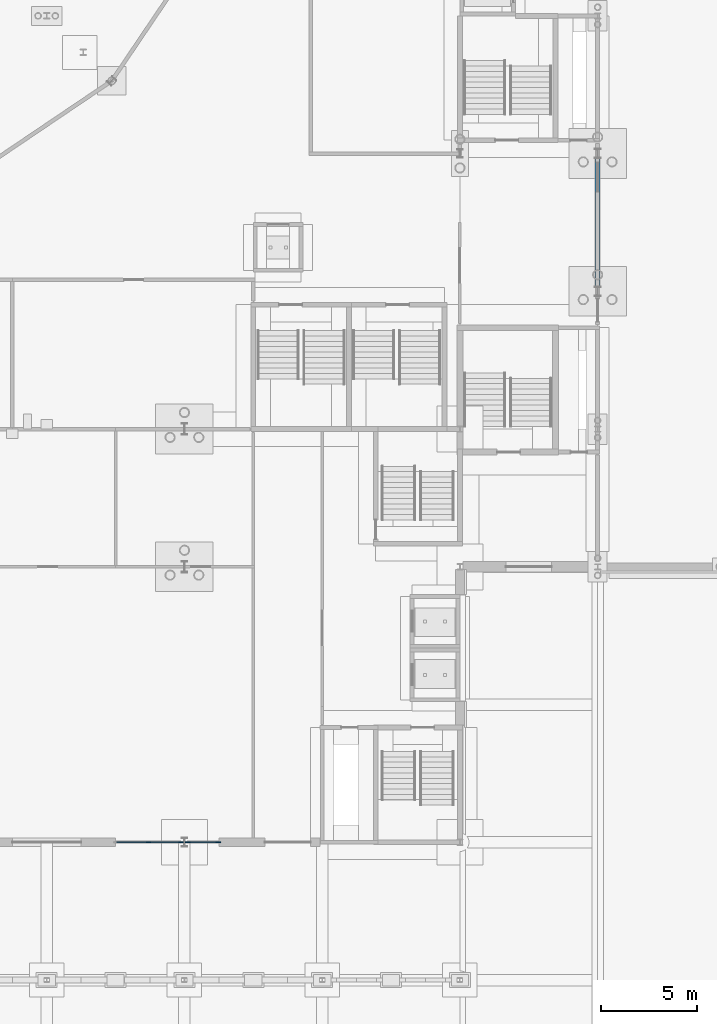
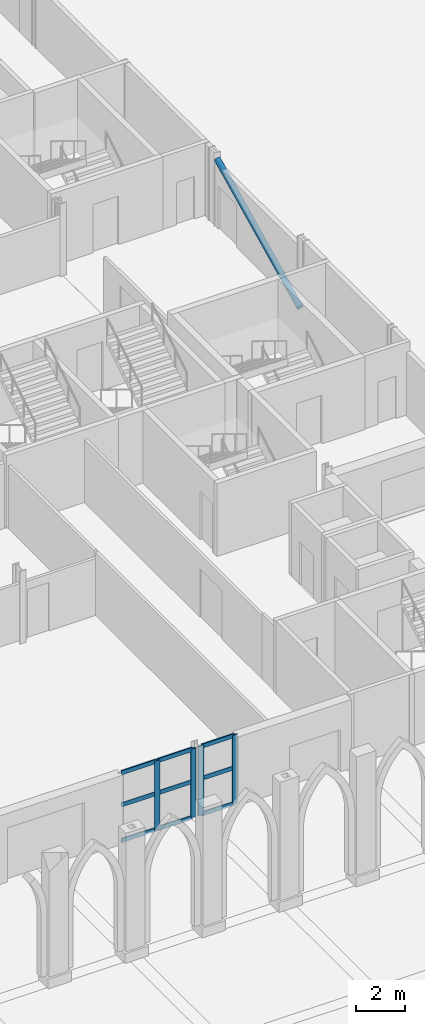
# One storey, part 71 of 148: 14 members, 2 elements without a shape of their own.
"""IFC4 building model written with IfcOpenShell, lengths in metres."""

from ifc_helpers import new_model, si_unit, direction, frame, origin, origin_2d, place, context, subcontext, project, spatial, rectangle, hollow_circle, extrude, material, material_profile, profile_set, type_object, element, aggregate, save


model = new_model("IFC4")

# Units and contexts
model_context = context("Model", 3, precision=1e-05, world=origin(), true_north=direction((0.0, 1.0)))
body_context = subcontext(model_context, "Body", "Model", "MODEL_VIEW")
ifc_project = project(units=[si_unit("LENGTHUNIT", "METRE"), si_unit("AREAUNIT", "SQUARE_METRE"), si_unit("VOLUMEUNIT", "CUBIC_METRE"), si_unit("PLANEANGLEUNIT", "RADIAN"), si_unit("MASSUNIT", "GRAM", prefix="KILO")], contexts=[model_context])

# Site, building, storey
site_placement = place(None, origin())
site = spatial("IfcSite", under=ifc_project, at=site_placement, CompositionType="ELEMENT")
building_placement = place(site_placement, origin())
building = spatial("IfcBuilding", under=site, at=building_placement, Name="Kupolbacken Congress Centre", CompositionType="ELEMENT")
storey_placement = place(building_placement, origin())
storey = spatial("IfcBuildingStorey", under=building, at=storey_placement, Name="L00", CompositionType="ELEMENT", Elevation=0.0)

# Member
ifc_material_1 = material(Name="Steel S355", Category="steel")
ifc_material_profile_1 = material_profile(ifc_material_1, hollow_circle(Radius=0.136474609375, WallThickness=0.012451171875, at=origin_2d()), Name="CHS 273 x 12.5")
ifc_profile_set_1 = profile_set([ifc_material_profile_1], Name="Steel S355")
member_type_1 = type_object("IfcMemberType", Name="M08 brace CHS 273 x 12.5", PredefinedType="BRACE", material=ifc_profile_set_1)
member_1_placement = place(storey_placement, frame((86.39990234375, 57.844970703125, 0.0), z_axis=(0.0, 0.898933726852, 0.438084643337), x_axis=(-1.0, 0.0, 0.0)))
element("IfcMember", 1, at=member_1_placement, inside=storey, type_object=member_type_1, Name="S/brace/W/03/01", PredefinedType="BRACE", context=body_context, shape_type="SweptSolid", body=[
    extrude(hollow_circle(Radius=0.136474609375, WallThickness=0.012451171875, at=origin_2d()), origin(), (0.0, 0.0, 1.0), 7.46435546875),
])

# Curtain wall, members
ifc_material_2 = material(Name="Aluminium mullion-transom frame with glass", Category="aluminium")
curtain_wall_type = type_object("IfcCurtainWallType", Name="CW2 curtain wall 3600x3600", PredefinedType="NOTDEFINED", material=ifc_material_2)
curtain_wall_1_placement = place(storey_placement, origin())
curtain_wall_1 = element("IfcCurtainWall", 2, at=curtain_wall_1_placement, inside=storey, type_object=curtain_wall_type, Name="E/F/S/L00/039", PredefinedType="NOTDEFINED")
ifc_material_3 = material(Name="Aluminium alloy", Category="aluminium")
ifc_material_profile_2 = material_profile(ifc_material_3, rectangle(XDim=0.06005859375, YDim=0.25, at=origin_2d()), Name="60 x 250")
ifc_profile_set_2 = profile_set([ifc_material_profile_2], Name="Aluminium alloy")
member_type_2 = type_object("IfcMemberType", Name="MU3 mullion 60x250", PredefinedType="MULLION", material=ifc_profile_set_2)
member_2_placement = place(storey_placement, frame((62.925048828125, 28.800048828125, 0.0), z_axis=(0.0, 0.0, 1.0), x_axis=(0.0, 1.0, 0.0)))
member_2 = element("IfcMember", 3, at=member_2_placement, type_object=member_type_2, Name="CW2 mullion 2", PredefinedType="MULLION", context=body_context, shape_type="SweptSolid", body=[
    extrude(rectangle(XDim=0.06005859375, YDim=0.25, at=origin_2d()), origin(), (0.0, 0.0, 1.0), 3.419921875),
])
member_3_placement = place(storey_placement, frame((64.6201171875, 28.800048828125, 0.0), z_axis=(0.0, 0.0, 1.0), x_axis=(0.0, 1.0, 0.0)))
member_3 = element("IfcMember", 4, at=member_3_placement, type_object=member_type_2, Name="CW2 mullion 3", PredefinedType="MULLION", context=body_context, shape_type="SweptSolid", body=[
    extrude(rectangle(XDim=0.06005859375, YDim=0.25, at=origin_2d()), origin(), (0.0, 0.0, 1.0), 3.419921875),
])

curtain_wall_2_placement = place(storey_placement, origin())
curtain_wall_2 = element("IfcCurtainWall", 5, at=curtain_wall_2_placement, inside=storey, type_object=curtain_wall_type, Name="E/F/S/L00/040", PredefinedType="NOTDEFINED")
member_4_placement = place(storey_placement, frame((64.97998046875, 28.800048828125, 0.0), z_axis=(0.0, 0.0, 1.0), x_axis=(0.0, 1.0, 0.0)))
member_4 = element("IfcMember", 6, at=member_4_placement, type_object=member_type_2, Name="CW2 mullion 1", PredefinedType="MULLION", context=body_context, shape_type="SweptSolid", body=[
    extrude(rectangle(XDim=0.06005859375, YDim=0.25, at=origin_2d()), origin(), (0.0, 0.0, 1.0), 3.419921875),
])
member_5_placement = place(storey_placement, frame((66.570068359375, 28.800048828125, 0.0), z_axis=(0.0, 0.0, 1.0), x_axis=(0.0, 1.0, 0.0)))
member_5 = element("IfcMember", 7, at=member_5_placement, type_object=member_type_2, Name="CW2 mullion 2", PredefinedType="MULLION", context=body_context, shape_type="SweptSolid", body=[
    extrude(rectangle(XDim=0.06005859375, YDim=0.25, at=origin_2d()), origin(), (0.0, 0.0, 1.0), 3.419921875),
])

# Member
ifc_material_4 = material(Name="Aluminium alloy", Category="aluminium")
ifc_material_profile_3 = material_profile(ifc_material_4, rectangle(XDim=0.06005859375, YDim=0.199951171875, at=origin_2d()), Name="60 x 200")
ifc_profile_set_3 = profile_set([ifc_material_profile_3], Name="Aluminium alloy")
member_type_3 = type_object("IfcMemberType", Name="TR3 transom 60x200", PredefinedType="MULLION", material=ifc_profile_set_3)
member_6_placement = place(storey_placement, frame((61.260009765625, 28.800048828125, 0.030029296875), z_axis=(1.0, 0.0, 0.0), x_axis=(0.0, 1.0, 0.0)))
member_6 = element("IfcMember", 8, at=member_6_placement, type_object=member_type_3, Name="CW2 transom 1.1", PredefinedType="MULLION", context=body_context, shape_type="SweptSolid", body=[
    extrude(rectangle(XDim=0.06005859375, YDim=0.199951171875, at=origin_2d()), origin(), (0.0, 0.0, 1.0), 1.635009765625),
])

member_7_placement = place(storey_placement, frame((61.260009765625, 28.800048828125, 1.800048828125), z_axis=(1.0, 0.0, 0.0), x_axis=(0.0, 1.0, 0.0)))
member_7 = element("IfcMember", 9, at=member_7_placement, type_object=member_type_3, Name="CW2 transom 1.2", PredefinedType="MULLION", context=body_context, shape_type="SweptSolid", body=[
    extrude(rectangle(XDim=0.06005859375, YDim=0.199951171875, at=origin_2d()), origin(), (0.0, 0.0, 1.0), 1.635009765625),
])

member_8_placement = place(storey_placement, frame((61.260009765625, 28.800048828125, 3.389892578125), z_axis=(1.0, 0.0, 0.0), x_axis=(0.0, 1.0, 0.0)))
member_8 = element("IfcMember", 10, at=member_8_placement, type_object=member_type_3, Name="CW2 transom 1.3", PredefinedType="MULLION", context=body_context, shape_type="SweptSolid", body=[
    extrude(rectangle(XDim=0.06005859375, YDim=0.199951171875, at=origin_2d()), origin(), (0.0, 0.0, 1.0), 1.635009765625),
])

member_9_placement = place(storey_placement, frame((62.955078125, 28.800048828125, 0.030029296875), z_axis=(1.0, 0.0, 0.0), x_axis=(0.0, 1.0, 0.0)))
member_9 = element("IfcMember", 11, at=member_9_placement, type_object=member_type_3, Name="CW2 transom 2.1", PredefinedType="MULLION", context=body_context, shape_type="SweptSolid", body=[
    extrude(rectangle(XDim=0.06005859375, YDim=0.199951171875, at=origin_2d()), origin(), (0.0, 0.0, 1.0), 1.635009765625),
])

member_10_placement = place(storey_placement, frame((62.955078125, 28.800048828125, 1.800048828125), z_axis=(1.0, 0.0, 0.0), x_axis=(0.0, 1.0, 0.0)))
member_10 = element("IfcMember", 12, at=member_10_placement, type_object=member_type_3, Name="CW2 transom 2.2", PredefinedType="MULLION", context=body_context, shape_type="SweptSolid", body=[
    extrude(rectangle(XDim=0.06005859375, YDim=0.199951171875, at=origin_2d()), origin(), (0.0, 0.0, 1.0), 1.635009765625),
])

member_11_placement = place(storey_placement, frame((62.955078125, 28.800048828125, 3.389892578125), z_axis=(1.0, 0.0, 0.0), x_axis=(0.0, 1.0, 0.0)))
member_11 = element("IfcMember", 13, at=member_11_placement, type_object=member_type_3, Name="CW2 transom 2.3", PredefinedType="MULLION", context=body_context, shape_type="SweptSolid", body=[
    extrude(rectangle(XDim=0.06005859375, YDim=0.199951171875, at=origin_2d()), origin(), (0.0, 0.0, 1.0), 1.635009765625),
])

aggregate(curtain_wall_1, [member_2, member_3, member_6, member_7, member_8, member_9, member_10, member_11])

member_12_placement = place(storey_placement, frame((65.010009765625, 28.800048828125, 0.030029296875), z_axis=(1.0, 0.0, 0.0), x_axis=(0.0, 1.0, 0.0)))
member_12 = element("IfcMember", 14, at=member_12_placement, type_object=member_type_3, Name="CW2 transom 1.1", PredefinedType="MULLION", context=body_context, shape_type="SweptSolid", body=[
    extrude(rectangle(XDim=0.06005859375, YDim=0.199951171875, at=origin_2d()), origin(), (0.0, 0.0, 1.0), 1.530029296875),
])

member_13_placement = place(storey_placement, frame((65.010009765625, 28.800048828125, 1.800048828125), z_axis=(1.0, 0.0, 0.0), x_axis=(0.0, 1.0, 0.0)))
member_13 = element("IfcMember", 15, at=member_13_placement, type_object=member_type_3, Name="CW2 transom 1.2", PredefinedType="MULLION", context=body_context, shape_type="SweptSolid", body=[
    extrude(rectangle(XDim=0.06005859375, YDim=0.199951171875, at=origin_2d()), origin(), (0.0, 0.0, 1.0), 1.530029296875),
])

member_14_placement = place(storey_placement, frame((65.010009765625, 28.800048828125, 3.389892578125), z_axis=(1.0, 0.0, 0.0), x_axis=(0.0, 1.0, 0.0)))
member_14 = element("IfcMember", 16, at=member_14_placement, type_object=member_type_3, Name="CW2 transom 1.3", PredefinedType="MULLION", context=body_context, shape_type="SweptSolid", body=[
    extrude(rectangle(XDim=0.06005859375, YDim=0.199951171875, at=origin_2d()), origin(), (0.0, 0.0, 1.0), 1.530029296875),
])

aggregate(curtain_wall_2, [member_4, member_5, member_12, member_13, member_14])

save(model, "model.ifc")
